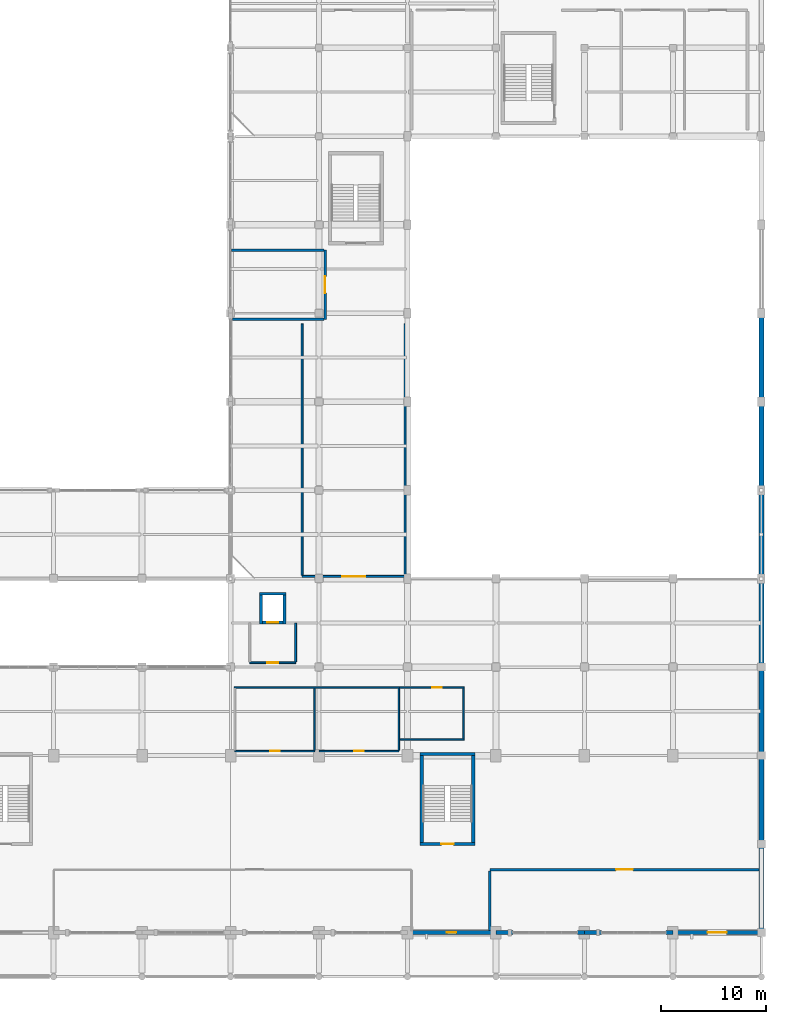
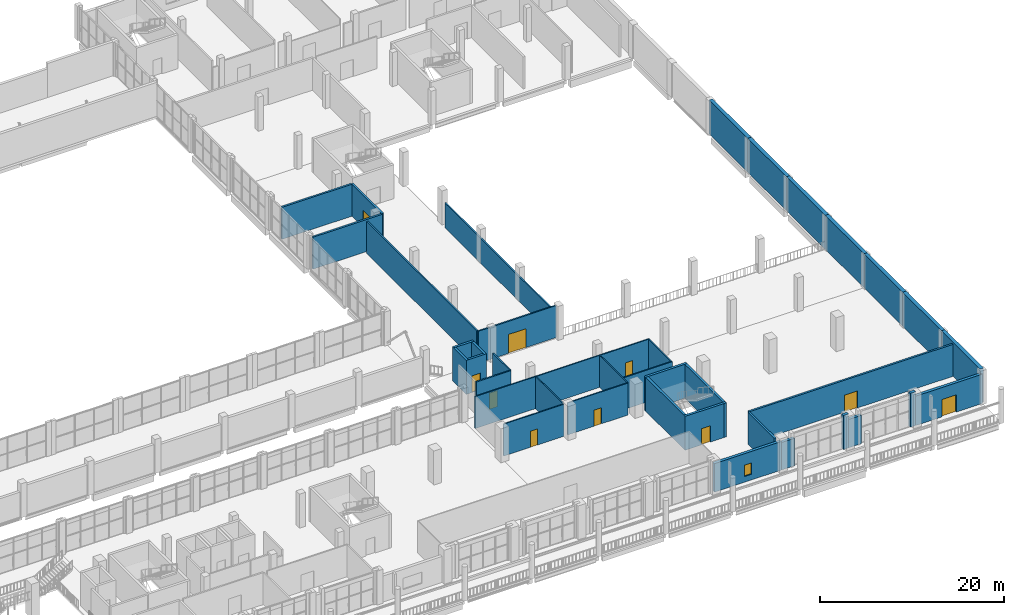
# One storey, part 63 of 75: 39 walls, 10 doors, 1 window, 11 openings.
"""IFC4 building model written with IfcOpenShell, lengths in metres."""

from ifc_helpers import new_model, si_unit, derived_unit, direction, frame, frame_2d, origin, place, context, subcontext, project, spatial, rectangle, extrude, material, layer, layer_set, type_object, element, fill, save


model = new_model("IFC4")

# Units and contexts
model_context = context("Model", 3, precision=1e-05, world=origin(), true_north=direction((0.0, 1.0)))
body_context = subcontext(model_context, "Body", "Model", "MODEL_VIEW")
ifc_project = project(units=[si_unit("LENGTHUNIT", "METRE"), si_unit("AREAUNIT", "SQUARE_METRE"), si_unit("VOLUMEUNIT", "CUBIC_METRE"), si_unit("PLANEANGLEUNIT", "RADIAN"), si_unit("MASSUNIT", "GRAM", prefix="KILO"), derived_unit("THERMALTRANSMITTANCEUNIT", [(si_unit("POWERUNIT", "WATT"), 1), (si_unit("LENGTHUNIT", "METRE"), -2), (si_unit("THERMODYNAMICTEMPERATUREUNIT", "KELVIN"), -1)])], contexts=[model_context])

# Site, building, storey
site_placement = place(None, origin())
site = spatial("IfcSite", under=ifc_project, at=site_placement, CompositionType="ELEMENT")
building_placement = place(site_placement, origin())
building = spatial("IfcBuilding", under=site, at=building_placement, Name="Barrovel Congress Hotel", CompositionType="ELEMENT")
storey_placement = place(building_placement, frame((0.0, 0.0, 5.39990234375)))
storey = spatial("IfcBuildingStorey", under=building, at=storey_placement, Name="L01", CompositionType="ELEMENT", Elevation=5.39990234375)

# Wall, opening, window
ifc_material_1 = material(Name="Fired Clay Brick Masonry", Category="masonry")
ifc_layer_1 = layer(ifc_material_1, 0.360107421875)
ifc_layer_set_1 = layer_set([ifc_layer_1], Name="Fired Clay Brick Masonry")
wall_type_1 = type_object("IfcWallType", Name="EW-BRK360", PredefinedType="STANDARD", material=ifc_layer_set_1)
wall_1_placement = place(storey_placement, frame((142.800048828125, 4.199951171875, 0.0), z_axis=(0.0, 0.0, 1.0), x_axis=(1.0, 0.0, 0.0)))
wall_1 = element("IfcWall", 1, at=wall_1_placement, inside=storey, type_object=wall_type_1, Name="EW:L01:S:17", PredefinedType="STANDARD", context=body_context, shape_type="SweptSolid", body=[
    extrude(rectangle(XDim=8.39990234375, YDim=0.360107421875, at=frame_2d((4.199951171875, 0.0))), origin(), (0.0, 0.0, 1.0), 3.780029296875),
])
opening_1_placement = place(wall_1_placement, frame((3.75, 0.0, 0.75)))
opening_1 = element("IfcOpeningElement", 2, at=opening_1_placement, cuts=wall_1, Name="Opening WN-11", PredefinedType="OPENING", context=body_context, shape_type="SweptSolid", body=[
    extrude(rectangle(XDim=0.89990234375, YDim=1.5, at=frame_2d((0.449951171875, 0.75))), frame((0.0, 0.18994140625, 0.0), z_axis=(0.0, -1.0, 0.0), x_axis=(1.0, 0.0, 0.0)), (0.0, 0.0, 1.0), 0.380126953125),
])
ifc_material_2 = material(Name="Double Low-E Insulated Glazing", Category="glass")
window_type = type_object("IfcWindowType", Name="WIN-WN-11", PartitioningType="SINGLE_PANEL", PredefinedType="WINDOW", material=ifc_material_2)
window_placement = place(opening_1_placement, origin())
window = element("IfcWindow", 3, at=window_placement, inside=storey, type_object=window_type, Name="WIN:L01:S:17", OverallHeight=1.5, OverallWidth=0.89990234375, PartitioningType="SINGLE_PANEL", PredefinedType="WINDOW", context=body_context, shape_type="SweptSolid", body=[
    extrude(rectangle(XDim=0.89990234375, YDim=1.5, at=frame_2d((0.449951171875, 0.75))), frame((0.0, 0.030029296875, 0.0), z_axis=(0.0, -1.0, 0.0), x_axis=(1.0, 0.0, 0.0)), (0.0, 0.0, 1.0), 0.06005859375),
])
fill(opening_1, window)

# Walls
wall_2_placement = place(storey_placement, frame((151.199951171875, 4.199951171875, 0.0), z_axis=(0.0, 0.0, 1.0), x_axis=(1.0, 0.0, 0.0)))
element("IfcWall", 4, at=wall_2_placement, inside=storey, type_object=wall_type_1, Name="EW:L01:SJ-L:18", PredefinedType="STANDARD", context=body_context, shape_type="SweptSolid", body=[
    extrude(rectangle(XDim=1.6201171875, YDim=0.360107421875, at=frame_2d((0.81005859375, 0.0))), origin(), (0.0, 0.0, 1.0), 3.64013671875),
])
wall_3_placement = place(storey_placement, frame((158.93994140625, 4.199951171875, 0.0), z_axis=(0.0, 0.0, 1.0), x_axis=(1.0, 0.0, 0.0)))
element("IfcWall", 5, at=wall_3_placement, inside=storey, type_object=wall_type_1, Name="EW:L01:SJ-R:18", PredefinedType="STANDARD", context=body_context, shape_type="SweptSolid", body=[
    extrude(rectangle(XDim=0.66015625, YDim=0.360107421875, at=frame_2d((0.330078125, 0.0))), origin(), (0.0, 0.0, 1.0), 4.5),
])
wall_4_placement = place(storey_placement, frame((159.60009765625, 4.199951171875, 0.0), z_axis=(0.0, 0.0, 1.0), x_axis=(1.0, 0.0, 0.0)))
element("IfcWall", 6, at=wall_4_placement, inside=storey, type_object=wall_type_1, Name="EW:L01:SJ-L:19", PredefinedType="STANDARD", context=body_context, shape_type="SweptSolid", body=[
    extrude(rectangle(XDim=1.619873046875, YDim=0.360107421875, at=frame_2d((0.81005859375, 0.0))), origin(), (0.0, 0.0, 1.0), 3.739990234375),
])
wall_5_placement = place(storey_placement, frame((167.340087890625, 4.199951171875, 0.0), z_axis=(0.0, 0.0, 1.0), x_axis=(1.0, 0.0, 0.0)))
element("IfcWall", 7, at=wall_5_placement, inside=storey, type_object=wall_type_1, Name="EW:L01:SJ-R:19", PredefinedType="STANDARD", context=body_context, shape_type="SweptSolid", body=[
    extrude(rectangle(XDim=0.659912109375, YDim=0.360107421875, at=frame_2d((0.330078125, 0.0))), origin(), (0.0, 0.0, 1.0), 4.5),
])

# Wall, opening, door
wall_6_placement = place(storey_placement, frame((168.0, 4.199951171875, 0.0), z_axis=(0.0, 0.0, 1.0), x_axis=(1.0, 0.0, 0.0)))
wall_6 = element("IfcWall", 8, at=wall_6_placement, inside=storey, type_object=wall_type_1, Name="EW:L01:S:20", PredefinedType="STANDARD", context=body_context, shape_type="SweptSolid", body=[
    extrude(rectangle(XDim=8.39990234375, YDim=0.360107421875, at=frame_2d((4.199951171875, 0.0))), origin(), (0.0, 0.0, 1.0), 3.885986328125),
])
opening_2_placement = place(wall_6_placement, frame((5.10009765625, 0.0, 0.0), z_axis=(0.0, 0.0, 1.0), x_axis=(-1.0, 0.0, 0.0)))
opening_2 = element("IfcOpeningElement", 9, at=opening_2_placement, cuts=wall_6, Name="Opening ED-03", PredefinedType="OPENING", context=body_context, shape_type="SweptSolid", body=[
    extrude(rectangle(XDim=1.800048828125, YDim=2.300048828125, at=frame_2d((0.89990234375, 1.14990234375))), frame((0.0, 0.18994140625, 0.0), z_axis=(0.0, -1.0, 0.0), x_axis=(1.0, 0.0, 0.0)), (0.0, 0.0, 1.0), 0.380126953125),
])
ifc_material_3 = material(Name="Anodised Aluminium Glazed Door", Category="aluminium")
door_type_1 = type_object("IfcDoorType", Name="EDR-ED-03", OperationType="NOTDEFINED", PredefinedType="DOOR", material=ifc_material_3)
door_1_placement = place(opening_2_placement, origin())
door_1 = element("IfcDoor", 10, at=door_1_placement, inside=storey, type_object=door_type_1, Name="Arcade Promenade Terrace Door 2", OperationType="DOUBLE_DOOR_SINGLE_SWING", OverallHeight=2.300048828125, OverallWidth=1.800048828125, PredefinedType="DOOR", context=body_context, shape_type="SweptSolid", body=[
    extrude(rectangle(XDim=1.800048828125, YDim=2.300048828125, at=frame_2d((0.89990234375, 1.14990234375))), frame((0.0, 0.02490234375, 0.0), z_axis=(0.0, -1.0, 0.0), x_axis=(1.0, 0.0, 0.0)), (0.0, 0.0, 1.0), 0.050048828125),
])
fill(opening_2, door_1)

# Walls
ifc_layer_2 = layer(ifc_material_1, 0.449951171875)
ifc_layer_set_2 = layer_set([ifc_layer_2], Name="Fired Clay Brick Masonry")
wall_type_2 = type_object("IfcWallType", Name="EW-PW450", PredefinedType="STANDARD", material=ifc_layer_set_2)
wall_7_placement = place(storey_placement, frame((176.39990234375, 4.199951171875, 0.0), z_axis=(0.0, 0.0, 1.0), x_axis=(0.0, 1.0, 0.0)))
element("IfcWall", 11, at=wall_7_placement, inside=storey, type_object=wall_type_2, Name="EW:L01:PARTY:4.2", PredefinedType="STANDARD", context=body_context, shape_type="SweptSolid", body=[
    extrude(rectangle(XDim=8.400146484375, YDim=0.449951171875, at=frame_2d((4.2001953125, 0.0))), origin(), (0.0, 0.0, 1.0), 4.5),
])
for number, where, z_axis, x_axis, name in (
    (12, (176.39990234375, 12.60009765625, 0.0), (0.0, 0.0, 1.0), (0.0, 1.0, 0.0), "EW:L01:PARTY:12.6"),
    (13, (176.39990234375, 21.0, 0.0), (0.0, 0.0, 1.0), (0.0, 1.0, 0.0), "EW:L01:PARTY:21.0"),
):
    element("IfcWall", number, at=place(storey_placement, frame(where, z_axis=z_axis, x_axis=x_axis)), inside=storey, type_object=wall_type_2, Name=name, PredefinedType="STANDARD", context=body_context, shape_type="SweptSolid", body=[
        extrude(rectangle(XDim=8.39990234375, YDim=0.449951171875, at=frame_2d((4.199951171875, 0.0))), origin(), (0.0, 0.0, 1.0), 4.5),
    ])
wall_8_placement = place(storey_placement, frame((176.39990234375, 29.39990234375, 0.0), z_axis=(0.0, 0.0, 1.0), x_axis=(0.0, 1.0, 0.0)))
element("IfcWall", 14, at=wall_8_placement, inside=storey, type_object=wall_type_2, Name="EW:L01:PARTY:29.4", PredefinedType="STANDARD", context=body_context, shape_type="SweptSolid", body=[
    extrude(rectangle(XDim=8.400146484375, YDim=0.449951171875, at=frame_2d((4.2001953125, 0.0))), origin(), (0.0, 0.0, 1.0), 4.5),
])
wall_9_placement = place(storey_placement, frame((176.39990234375, 37.800048828125, 0.0), z_axis=(0.0, 0.0, 1.0), x_axis=(0.0, 1.0, 0.0)))
element("IfcWall", 15, at=wall_9_placement, inside=storey, type_object=wall_type_2, Name="EW:L01:PARTY:37.8", PredefinedType="STANDARD", context=body_context, shape_type="SweptSolid", body=[
    extrude(rectangle(XDim=8.39990234375, YDim=0.449951171875, at=frame_2d((4.199951171875, 0.0))), origin(), (0.0, 0.0, 1.0), 4.5),
])
wall_10_placement = place(storey_placement, frame((176.39990234375, 46.199951171875, 0.0), z_axis=(0.0, 0.0, 1.0), x_axis=(0.0, 1.0, 0.0)))
element("IfcWall", 16, at=wall_10_placement, inside=storey, type_object=wall_type_2, Name="EW:L01:PARTY:46.2", PredefinedType="STANDARD", context=body_context, shape_type="SweptSolid", body=[
    extrude(rectangle(XDim=8.400146484375, YDim=0.449951171875, at=frame_2d((4.2001953125, 0.0))), origin(), (0.0, 0.0, 1.0), 4.5),
])
wall_11_placement = place(storey_placement, frame((176.39990234375, 54.60009765625, 0.0), z_axis=(0.0, 0.0, 1.0), x_axis=(0.0, 1.0, 0.0)))
element("IfcWall", 17, at=wall_11_placement, inside=storey, type_object=wall_type_2, Name="EW:L01:PARTY:54.6", PredefinedType="STANDARD", context=body_context, shape_type="SweptSolid", body=[
    extrude(rectangle(XDim=8.39990234375, YDim=0.449951171875, at=frame_2d((4.199951171875, 0.0))), origin(), (0.0, 0.0, 1.0), 4.5),
])

# Wall, opening, door
ifc_material_4 = material(Name="Gypsum Acoustic Stud", Category="gypsum")
ifc_layer_3 = layer(ifc_material_4, 0.179931640625)
ifc_layer_set_3 = layer_set([ifc_layer_3], Name="Gypsum Acoustic Stud")
wall_type_3 = type_object("IfcWallType", Name="PW-ACU-180", PredefinedType="PARTITIONING", material=ifc_layer_set_3)
wall_12_placement = place(storey_placement, frame((127.820068359375, 29.820068359375, 0.0), z_axis=(0.0, 0.0, 1.0), x_axis=(1.0, 0.0, 0.0)))
wall_12 = element("IfcWall", 18, at=wall_12_placement, inside=storey, type_object=wall_type_3, Name="RW:SP:L01:LL-CL2:S", PredefinedType="PARTITIONING", context=body_context, shape_type="SweptSolid", body=[
    extrude(rectangle(XDim=4.35986328125, YDim=0.179931640625, at=frame_2d((2.179931640625, 0.0))), origin(), (0.0, 0.0, 1.0), 4.235107421875),
])
opening_3_placement = place(wall_12_placement, frame((1.669921875, 0.0, 0.0)))
opening_3 = element("IfcOpeningElement", 19, at=opening_3_placement, cuts=wall_12, Name="Opening ID-ACC", PredefinedType="OPENING", context=body_context, shape_type="SweptSolid", body=[
    extrude(rectangle(XDim=1.02001953125, YDim=2.14990234375, at=frame_2d((0.510009765625, 1.074951171875))), frame((0.0, 0.10009765625, 0.0), z_axis=(0.0, -1.0, 0.0), x_axis=(1.0, 0.0, 0.0)), (0.0, 0.0, 1.0), 0.199951171875),
])
ifc_material_5 = material(Name="Solid Oak Acoustic Timber Door", Category="wood")
door_type_2 = type_object("IfcDoorType", Name="IDR-ID-ACC", OperationType="NOTDEFINED", PredefinedType="DOOR", material=ifc_material_5)
door_2_placement = place(opening_3_placement, origin())
door_2 = element("IfcDoor", 20, at=door_2_placement, inside=storey, type_object=door_type_2, Name="RD:SP:L01:LL-CL2", OperationType="SINGLE_SWING_RIGHT", OverallHeight=2.14990234375, OverallWidth=1.02001953125, PredefinedType="DOOR", context=body_context, shape_type="SweptSolid", body=[
    extrude(rectangle(XDim=1.02001953125, YDim=2.14990234375, at=frame_2d((0.510009765625, 1.074951171875))), frame((0.0, 0.02490234375, 0.0), z_axis=(0.0, -1.0, 0.0), x_axis=(1.0, 0.0, 0.0)), (0.0, 0.0, 1.0), 0.050048828125),
])
fill(opening_3, door_2)

# Wall
wall_13_placement = place(storey_placement, frame((132.179931640625, 29.909912109375, 0.0), z_axis=(0.0, 0.0, 1.0), x_axis=(0.0, 1.0, 0.0)))
element("IfcWall", 21, at=wall_13_placement, inside=storey, type_object=wall_type_3, Name="RW:SP:L01:LL-CL2:E", PredefinedType="PARTITIONING", context=body_context, shape_type="SweptSolid", body=[
    extrude(rectangle(XDim=3.670166015625, YDim=0.179931640625, at=frame_2d((1.8349609375, 0.0))), origin(), (0.0, 0.0, 1.0), 4.235107421875),
])

# Wall, opening, door
wall_14_placement = place(storey_placement, frame((132.800048828125, 38.02001953125, 0.0), z_axis=(0.0, 0.0, 1.0), x_axis=(1.0, 0.0, 0.0)))
wall_14 = element("IfcWall", 22, at=wall_14_placement, inside=storey, type_object=wall_type_3, Name="RW:SP:L01:JBALL:S", PredefinedType="PARTITIONING", context=body_context, shape_type="SweptSolid", body=[
    extrude(rectangle(XDim=9.780029296875, YDim=0.179931640625, at=frame_2d((4.89013671875, 0.0))), origin(), (0.0, 0.0, 1.0), 4.235107421875),
])
opening_4_placement = place(wall_14_placement, frame((3.7900390625, 0.0, 0.0)))
opening_4 = element("IfcOpeningElement", 23, at=opening_4_placement, cuts=wall_14, Name="Opening ID-BAL", PredefinedType="OPENING", context=body_context, shape_type="SweptSolid", body=[
    extrude(rectangle(XDim=2.199951171875, YDim=2.5, at=frame_2d((1.10009765625, 1.25))), frame((0.0, 0.10009765625, 0.0), z_axis=(0.0, -1.0, 0.0), x_axis=(1.0, 0.0, 0.0)), (0.0, 0.0, 1.0), 0.199951171875),
])
door_type_3 = type_object("IfcDoorType", Name="IDR-ID-BAL", OperationType="NOTDEFINED", PredefinedType="DOOR", material=ifc_material_5)
door_3_placement = place(opening_4_placement, origin())
door_3 = element("IfcDoor", 24, at=door_3_placement, inside=storey, type_object=door_type_3, Name="RD:SP:L01:JBALL", OperationType="DOUBLE_DOOR_SINGLE_SWING", OverallHeight=2.5, OverallWidth=2.199951171875, PredefinedType="DOOR", context=body_context, shape_type="SweptSolid", body=[
    extrude(rectangle(XDim=2.199951171875, YDim=2.5, at=frame_2d((1.10009765625, 1.25))), frame((0.0, 0.02490234375, 0.0), z_axis=(0.0, -1.0, 0.0), x_axis=(1.0, 0.0, 0.0)), (0.0, 0.0, 1.0), 0.050048828125),
])
fill(opening_4, door_3)

# Walls
wall_15_placement = place(storey_placement, frame((132.800048828125, 38.110107421875, 0.0), z_axis=(0.0, 0.0, 1.0), x_axis=(0.0, 1.0, 0.0)))
element("IfcWall", 25, at=wall_15_placement, inside=storey, type_object=wall_type_3, Name="RW:SP:L01:JBALL:W", PredefinedType="PARTITIONING", context=body_context, shape_type="SweptSolid", body=[
    extrude(rectangle(XDim=23.869873046875, YDim=0.179931640625, at=frame_2d((11.93505859375, 0.0))), origin(), (0.0, 0.0, 1.0), 4.235107421875),
])
wall_16_placement = place(storey_placement, frame((142.580078125, 38.110107421875, 0.0), z_axis=(0.0, 0.0, 1.0), x_axis=(0.0, 1.0, 0.0)))
element("IfcWall", 26, at=wall_16_placement, inside=storey, type_object=wall_type_3, Name="RW:SP:L01:JBALL:E", PredefinedType="PARTITIONING", context=body_context, shape_type="SweptSolid", body=[
    extrude(rectangle(XDim=23.869873046875, YDim=0.179931640625, at=frame_2d((11.93505859375, 0.0))), origin(), (0.0, 0.0, 1.0), 3.2900390625),
])

# Wall, opening, door
ifc_layer_4 = layer(ifc_material_1, 0.239990234375)
ifc_layer_set_4 = layer_set([ifc_layer_4], Name="Fired Clay Brick Masonry")
wall_type_4 = type_object("IfcWallType", Name="PW-MAS-240", PredefinedType="PARTITIONING", material=ifc_layer_set_4)
wall_17_placement = place(storey_placement, frame((150.6201171875, 10.179931640625, 0.0), z_axis=(0.0, 0.0, 1.0), x_axis=(1.0, 0.0, 0.0)))
wall_17 = element("IfcWall", 27, at=wall_17_placement, inside=storey, type_object=wall_type_4, Name="RW:SP:L01:MEZ-DN:N", PredefinedType="PARTITIONING", context=body_context, shape_type="SweptSolid", body=[
    extrude(rectangle(XDim=25.554931640625, YDim=0.239990234375, at=frame_2d((12.77734375, 0.0))), origin(), (0.0, 0.0, 1.0), 4.235107421875),
])
opening_5_placement = place(wall_17_placement, frame((11.9775390625, 0.0, 0.0)))
opening_5 = element("IfcOpeningElement", 28, at=opening_5_placement, cuts=wall_17, Name="Opening ID-MTG", PredefinedType="OPENING", context=body_context, shape_type="SweptSolid", body=[
    extrude(rectangle(XDim=1.60009765625, YDim=2.25, at=frame_2d((0.800048828125, 1.125))), frame((0.0, 0.1298828125, 0.0), z_axis=(0.0, -1.0, 0.0), x_axis=(1.0, 0.0, 0.0)), (0.0, 0.0, 1.0), 0.260009765625),
])
door_type_4 = type_object("IfcDoorType", Name="IDR-ID-MTG", OperationType="NOTDEFINED", PredefinedType="DOOR", material=ifc_material_5)
door_4_placement = place(opening_5_placement, origin())
door_4 = element("IfcDoor", 29, at=door_4_placement, inside=storey, type_object=door_type_4, Name="RD:SP:L01:MEZ-DN", OperationType="DOUBLE_DOOR_SINGLE_SWING", OverallHeight=2.25, OverallWidth=1.60009765625, PredefinedType="DOOR", context=body_context, shape_type="SweptSolid", body=[
    extrude(rectangle(XDim=1.60009765625, YDim=2.25, at=frame_2d((0.800048828125, 1.125))), frame((0.0, 0.02490234375, 0.0), z_axis=(0.0, -1.0, 0.0), x_axis=(1.0, 0.0, 0.0)), (0.0, 0.0, 1.0), 0.050048828125),
])
fill(opening_5, door_4)

# Wall
wall_18_placement = place(storey_placement, frame((150.6201171875, 4.3798828125, 0.0), z_axis=(0.0, 0.0, 1.0), x_axis=(0.0, 1.0, 0.0)))
element("IfcWall", 30, at=wall_18_placement, inside=storey, type_object=wall_type_4, Name="RW:SP:L01:MEZ-DN:W", PredefinedType="PARTITIONING", context=body_context, shape_type="SweptSolid", body=[
    extrude(rectangle(XDim=5.68017578125, YDim=0.239990234375, at=frame_2d((2.840087890625, 0.0))), origin(), (0.0, 0.0, 1.0), 4.235107421875),
])

# Wall, opening, door
wall_19_placement = place(storey_placement, frame((134.97998046875, 62.419921875, 0.0), z_axis=(0.0, 0.0, 1.0), x_axis=(0.0, 1.0, 0.0)))
wall_19 = element("IfcWall", 31, at=wall_19_placement, inside=storey, type_object=wall_type_4, Name="RW:SP:L01:BSAL-1:E", PredefinedType="PARTITIONING", context=body_context, shape_type="SweptSolid", body=[
    extrude(rectangle(XDim=6.580078125, YDim=0.239990234375, at=frame_2d((3.2900390625, 0.0))), origin(), (0.0, 0.0, 1.0), 4.235107421875),
])
opening_6_placement = place(wall_19_placement, frame((2.489990234375, 0.0, 0.0)))
opening_6 = element("IfcOpeningElement", 32, at=opening_6_placement, cuts=wall_19, Name="Opening ID-MTG", PredefinedType="OPENING", context=body_context, shape_type="SweptSolid", body=[
    extrude(rectangle(XDim=1.60009765625, YDim=2.25, at=frame_2d((0.800048828125, 1.125))), frame((0.0, 0.1298828125, 0.0), z_axis=(0.0, -1.0, 0.0), x_axis=(1.0, 0.0, 0.0)), (0.0, 0.0, 1.0), 0.260009765625),
])
door_5_placement = place(opening_6_placement, origin())
door_5 = element("IfcDoor", 33, at=door_5_placement, inside=storey, type_object=door_type_4, Name="RD:SP:L01:BSAL-1", OperationType="DOUBLE_DOOR_SINGLE_SWING", OverallHeight=2.25, OverallWidth=1.60009765625, PredefinedType="DOOR", context=body_context, shape_type="SweptSolid", body=[
    extrude(rectangle(XDim=1.60009765625, YDim=2.25, at=frame_2d((0.800048828125, 1.125))), frame((0.0, 0.02490234375, 0.0), z_axis=(0.0, -1.0, 0.0), x_axis=(1.0, 0.0, 0.0)), (0.0, 0.0, 1.0), 0.050048828125),
])
fill(opening_6, door_5)

# Walls
wall_20_placement = place(storey_placement, frame((126.169921875, 62.419921875, 0.0), z_axis=(0.0, 0.0, 1.0), x_axis=(1.0, 0.0, 0.0)))
element("IfcWall", 34, at=wall_20_placement, inside=storey, type_object=wall_type_4, Name="RW:SP:L01:BSAL-1:S", PredefinedType="PARTITIONING", context=body_context, shape_type="SweptSolid", body=[
    extrude(rectangle(XDim=8.690185546875, YDim=0.239990234375, at=frame_2d((4.34521484375, 0.0))), origin(), (0.0, 0.0, 1.0), 4.235107421875),
])
wall_21_placement = place(storey_placement, frame((126.080078125, 69.0, 0.0), z_axis=(0.0, 0.0, 1.0), x_axis=(1.0, 0.0, 0.0)))
element("IfcWall", 35, at=wall_21_placement, inside=storey, type_object=wall_type_4, Name="RW:SP:L01:BSAL-1:N", PredefinedType="PARTITIONING", context=body_context, shape_type="SweptSolid", body=[
    extrude(rectangle(XDim=8.780029296875, YDim=0.239990234375, at=frame_2d((4.39013671875, 0.0))), origin(), (0.0, 0.0, 1.0), 4.235107421875),
])
ifc_material_6 = material(Name="Gypsum Moisture Board", Category="gypsum")
ifc_layer_5 = layer(ifc_material_6, 0.139892578125)
ifc_layer_set_5 = layer_set([ifc_layer_5], Name="Gypsum Moisture Board")
wall_type_5 = type_object("IfcWallType", Name="PW-WET-140", PredefinedType="PARTITIONING", material=ifc_layer_set_5)
wall_22_placement = place(storey_placement, frame((126.35009765625, 27.47998046875, 0.0), z_axis=(0.0, 0.0, 1.0), x_axis=(1.0, 0.0, 0.0)))
element("IfcWall", 36, at=wall_22_placement, inside=storey, type_object=wall_type_5, Name="RW:SP:L01:WCB:N", PredefinedType="PARTITIONING", context=body_context, shape_type="SweptSolid", body=[
    extrude(rectangle(XDim=15.699951171875, YDim=0.139892578125, at=frame_2d((7.85009765625, 0.0))), origin(), (0.0, 0.0, 1.0), 4.235107421875),
])

# Wall, opening, door
wall_23_placement = place(storey_placement, frame((126.419921875, 21.419921875, 0.0), z_axis=(0.0, 0.0, 1.0), x_axis=(1.0, 0.0, 0.0)))
wall_23 = element("IfcWall", 37, at=wall_23_placement, inside=storey, type_object=wall_type_5, Name="RW:SP:L01:WC-M1:S", PredefinedType="PARTITIONING", context=body_context, shape_type="SweptSolid", body=[
    extrude(rectangle(XDim=7.56005859375, YDim=0.139892578125, at=frame_2d((3.780029296875, 0.0))), origin(), (0.0, 0.0, 1.0), 4.235107421875),
])
opening_7_placement = place(wall_23_placement, frame((3.330078125, 0.0, 0.0)))
opening_7 = element("IfcOpeningElement", 38, at=opening_7_placement, cuts=wall_23, Name="Opening ID-WC1", PredefinedType="OPENING", context=body_context, shape_type="SweptSolid", body=[
    extrude(rectangle(XDim=0.89990234375, YDim=2.1201171875, at=frame_2d((0.449951171875, 1.06005859375))), frame((0.0, 0.080078125, 0.0), z_axis=(0.0, -1.0, 0.0), x_axis=(1.0, 0.0, 0.0)), (0.0, 0.0, 1.0), 0.159912109375),
])
ifc_material_7 = material(Name="Lacquered Timber Moisture Door", Category="wood")
door_type_5 = type_object("IfcDoorType", Name="IDR-ID-WC1", OperationType="NOTDEFINED", PredefinedType="DOOR", material=ifc_material_7)
door_6_placement = place(opening_7_placement, origin())
door_6 = element("IfcDoor", 39, at=door_6_placement, inside=storey, type_object=door_type_5, Name="RD:SP:L01:WC-M1", OperationType="SINGLE_SWING_LEFT", OverallHeight=2.1201171875, OverallWidth=0.89990234375, PredefinedType="DOOR", context=body_context, shape_type="SweptSolid", body=[
    extrude(rectangle(XDim=0.89990234375, YDim=2.1201171875, at=frame_2d((0.449951171875, 1.06005859375))), frame((0.0, 0.02490234375, 0.0), z_axis=(0.0, -1.0, 0.0), x_axis=(1.0, 0.0, 0.0)), (0.0, 0.0, 1.0), 0.050048828125),
])
fill(opening_7, door_6)

# Wall
wall_24_placement = place(storey_placement, frame((133.97998046875, 21.489990234375, 0.0), z_axis=(0.0, 0.0, 1.0), x_axis=(0.0, 1.0, 0.0)))
element("IfcWall", 40, at=wall_24_placement, inside=storey, type_object=wall_type_5, Name="RW:SP:L01:WC-M1:E", PredefinedType="PARTITIONING", context=body_context, shape_type="SweptSolid", body=[
    extrude(rectangle(XDim=5.919921875, YDim=0.139892578125, at=frame_2d((2.9599609375, 0.0))), origin(), (0.0, 0.0, 1.0), 4.235107421875),
])

# Wall, opening, door
wall_25_placement = place(storey_placement, frame((134.419921875, 21.419921875, 0.0), z_axis=(0.0, 0.0, 1.0), x_axis=(1.0, 0.0, 0.0)))
wall_25 = element("IfcWall", 41, at=wall_25_placement, inside=storey, type_object=wall_type_5, Name="RW:SP:L01:WC-F1:S", PredefinedType="PARTITIONING", context=body_context, shape_type="SweptSolid", body=[
    extrude(rectangle(XDim=7.56005859375, YDim=0.139892578125, at=frame_2d((3.780029296875, 0.0))), origin(), (0.0, 0.0, 1.0), 4.235107421875),
])
opening_8_placement = place(wall_25_placement, frame((3.330078125, 0.0, 0.0)))
opening_8 = element("IfcOpeningElement", 42, at=opening_8_placement, cuts=wall_25, Name="Opening ID-WC1", PredefinedType="OPENING", context=body_context, shape_type="SweptSolid", body=[
    extrude(rectangle(XDim=0.89990234375, YDim=2.1201171875, at=frame_2d((0.449951171875, 1.06005859375))), frame((0.0, 0.080078125, 0.0), z_axis=(0.0, -1.0, 0.0), x_axis=(1.0, 0.0, 0.0)), (0.0, 0.0, 1.0), 0.159912109375),
])
door_7_placement = place(opening_8_placement, origin())
door_7 = element("IfcDoor", 43, at=door_7_placement, inside=storey, type_object=door_type_5, Name="RD:SP:L01:WC-F1", OperationType="SINGLE_SWING_RIGHT", OverallHeight=2.1201171875, OverallWidth=0.89990234375, PredefinedType="DOOR", context=body_context, shape_type="SweptSolid", body=[
    extrude(rectangle(XDim=0.89990234375, YDim=2.1201171875, at=frame_2d((0.449951171875, 1.06005859375))), frame((0.0, 0.02490234375, 0.0), z_axis=(0.0, -1.0, 0.0), x_axis=(1.0, 0.0, 0.0)), (0.0, 0.0, 1.0), 0.050048828125),
])
fill(opening_8, door_7)

# Walls
wall_26_placement = place(storey_placement, frame((141.97998046875, 21.489990234375, 0.0), z_axis=(0.0, 0.0, 1.0), x_axis=(0.0, 1.0, 0.0)))
element("IfcWall", 44, at=wall_26_placement, inside=storey, type_object=wall_type_5, Name="RW:SP:L01:WC-F1:E", PredefinedType="PARTITIONING", context=body_context, shape_type="SweptSolid", body=[
    extrude(rectangle(XDim=5.919921875, YDim=0.139892578125, at=frame_2d((2.9599609375, 0.0))), origin(), (0.0, 0.0, 1.0), 4.235107421875),
])
wall_27_placement = place(storey_placement, frame((142.050048828125, 22.52001953125, 0.0), z_axis=(0.0, 0.0, 1.0), x_axis=(1.0, 0.0, 0.0)))
element("IfcWall", 45, at=wall_27_placement, inside=storey, type_object=wall_type_5, Name="RW:SP:L01:WC-A1:S", PredefinedType="PARTITIONING", context=body_context, shape_type="SweptSolid", body=[
    extrude(rectangle(XDim=6.119873046875, YDim=0.139892578125, at=frame_2d((3.06005859375, 0.0))), origin(), (0.0, 0.0, 1.0), 4.235107421875),
])
wall_28_placement = place(storey_placement, frame((148.10009765625, 22.590087890625, 0.0), z_axis=(0.0, 0.0, 1.0), x_axis=(0.0, 1.0, 0.0)))
element("IfcWall", 46, at=wall_28_placement, inside=storey, type_object=wall_type_5, Name="RW:SP:L01:WC-A1:E", PredefinedType="PARTITIONING", context=body_context, shape_type="SweptSolid", body=[
    extrude(rectangle(XDim=4.81982421875, YDim=0.139892578125, at=frame_2d((2.409912109375, 0.0))), origin(), (0.0, 0.0, 1.0), 4.235107421875),
])

# Wall, opening, door
wall_29_placement = place(storey_placement, frame((142.050048828125, 27.47998046875, 0.0), z_axis=(0.0, 0.0, 1.0), x_axis=(1.0, 0.0, 0.0)))
wall_29 = element("IfcWall", 47, at=wall_29_placement, inside=storey, type_object=wall_type_5, Name="RW:SP:L01:WC-A1:N", PredefinedType="PARTITIONING", context=body_context, shape_type="SweptSolid", body=[
    extrude(rectangle(XDim=6.119873046875, YDim=0.139892578125, at=frame_2d((3.06005859375, 0.0))), origin(), (0.0, 0.0, 1.0), 4.235107421875),
])
opening_9_placement = place(wall_29_placement, frame((3.10009765625, 0.0, 0.0)))
opening_9 = element("IfcOpeningElement", 48, at=opening_9_placement, cuts=wall_29, Name="Opening ID-WC1", PredefinedType="OPENING", context=body_context, shape_type="SweptSolid", body=[
    extrude(rectangle(XDim=0.89990234375, YDim=2.1201171875, at=frame_2d((0.449951171875, 1.06005859375))), frame((0.0, 0.080078125, 0.0), z_axis=(0.0, -1.0, 0.0), x_axis=(1.0, 0.0, 0.0)), (0.0, 0.0, 1.0), 0.159912109375),
])
door_8_placement = place(opening_9_placement, origin())
door_8 = element("IfcDoor", 49, at=door_8_placement, inside=storey, type_object=door_type_5, Name="RD:SP:L01:WC-A1", OperationType="SINGLE_SWING_LEFT", OverallHeight=2.1201171875, OverallWidth=0.89990234375, PredefinedType="DOOR", context=body_context, shape_type="SweptSolid", body=[
    extrude(rectangle(XDim=0.89990234375, YDim=2.1201171875, at=frame_2d((0.449951171875, 1.06005859375))), frame((0.0, 0.02490234375, 0.0), z_axis=(0.0, -1.0, 0.0), x_axis=(1.0, 0.0, 0.0)), (0.0, 0.0, 1.0), 0.050048828125),
])
fill(opening_9, door_8)

ifc_material_8 = material(Name="Concrete C40", Category="concrete")
ifc_layer_6 = layer(ifc_material_8, 0.280029296875)
ifc_layer_set_6 = layer_set([ifc_layer_6], Name="Concrete C40")
wall_type_6 = type_object("IfcWallType", Name="SW-C40-280", PredefinedType="SHEAR", material=ifc_layer_set_6)
wall_30_placement = place(storey_placement, frame((128.739990234375, 33.6298828125, 0.0), z_axis=(0.0, 0.0, 1.0), x_axis=(1.0, 0.0, 0.0)))
wall_30 = element("IfcWall", 50, at=wall_30_placement, inside=storey, type_object=wall_type_6, Name="LSH:CL-2:L01:S", PredefinedType="SHEAR", context=body_context, shape_type="SweptSolid", body=[
    extrude(rectangle(XDim=2.52001953125, YDim=0.280029296875, at=frame_2d((1.260009765625, 0.0))), origin(), (0.0, 0.0, 1.0), 4.5),
])
opening_10_placement = place(wall_30_placement, frame((0.735107421875, 0.0, 0.0)))
opening_10 = element("IfcOpeningElement", 51, at=opening_10_placement, cuts=wall_30, Name="Opening LD-PAX", PredefinedType="OPENING", context=body_context, shape_type="SweptSolid", body=[
    extrude(rectangle(XDim=1.050048828125, YDim=2.199951171875, at=frame_2d((0.52490234375, 1.10009765625))), frame((0.0, 0.14990234375, 0.0), z_axis=(0.0, -1.0, 0.0), x_axis=(1.0, 0.0, 0.0)), (0.0, 0.0, 1.0), 0.300048828125),
])
ifc_material_9 = material(Name="Brushed Stainless Steel", Category="steel")
door_type_6 = type_object("IfcDoorType", Name="IDR-LD-PAX", OperationType="NOTDEFINED", PredefinedType="DOOR", material=ifc_material_9)
door_9_placement = place(opening_10_placement, origin())
door_9 = element("IfcDoor", 52, at=door_9_placement, inside=storey, type_object=door_type_6, Name="Lift Landing Door LD-CL-2-L01", OperationType="SLIDING_TO_LEFT", OverallHeight=2.199951171875, OverallWidth=1.050048828125, PredefinedType="DOOR", context=body_context, shape_type="SweptSolid", body=[
    extrude(rectangle(XDim=1.050048828125, YDim=2.199951171875, at=frame_2d((0.52490234375, 1.10009765625))), frame((0.0, 0.02490234375, 0.0), z_axis=(0.0, -1.0, 0.0), x_axis=(1.0, 0.0, 0.0)), (0.0, 0.0, 1.0), 0.050048828125),
])
fill(opening_10, door_9)

# Walls
wall_31_placement = place(storey_placement, frame((131.1201171875, 33.489990234375, 0.0), z_axis=(0.0, 0.0, 1.0), x_axis=(0.0, 1.0, 0.0)))
element("IfcWall", 53, at=wall_31_placement, inside=storey, type_object=wall_type_6, Name="LSH:CL-2:L01:E", PredefinedType="SHEAR", context=body_context, shape_type="SweptSolid", body=[
    extrude(rectangle(XDim=3.02001953125, YDim=0.280029296875, at=frame_2d((1.510009765625, 0.0))), origin(), (0.0, 0.0, 1.0), 4.5),
])
wall_32_placement = place(storey_placement, frame((131.260009765625, 36.3701171875, 0.0), z_axis=(0.0, 0.0, 1.0), x_axis=(-1.0, 0.0, 0.0)))
element("IfcWall", 54, at=wall_32_placement, inside=storey, type_object=wall_type_6, Name="LSH:CL-2:L01:N", PredefinedType="SHEAR", context=body_context, shape_type="SweptSolid", body=[
    extrude(rectangle(XDim=2.52001953125, YDim=0.280029296875, at=frame_2d((1.260009765625, 0.0))), origin(), (0.0, 0.0, 1.0), 4.5),
])
wall_33_placement = place(storey_placement, frame((128.8798828125, 36.510009765625, 0.0), z_axis=(0.0, 0.0, 1.0), x_axis=(0.0, -1.0, 0.0)))
element("IfcWall", 55, at=wall_33_placement, inside=storey, type_object=wall_type_6, Name="LSH:CL-2:L01:W", PredefinedType="SHEAR", context=body_context, shape_type="SweptSolid", body=[
    extrude(rectangle(XDim=3.02001953125, YDim=0.280029296875, at=frame_2d((1.510009765625, 0.0))), origin(), (0.0, 0.0, 1.0), 4.5),
])

# Wall, opening, door
ifc_layer_7 = layer(ifc_material_8, 0.300048828125)
ifc_layer_set_7 = layer_set([ifc_layer_7], Name="Concrete C40")
wall_type_7 = type_object("IfcWallType", Name="SW-C40-300", PredefinedType="SHEAR", material=ifc_layer_set_7)
wall_34_placement = place(storey_placement, frame((144.0, 12.610107421875, 0.0), z_axis=(0.0, 0.0, 1.0), x_axis=(1.0, 0.0, 0.0)))
wall_34 = element("IfcWall", 56, at=wall_34_placement, inside=storey, type_object=wall_type_7, Name="SHW:XS-04:L01:S", PredefinedType="SHEAR", context=body_context, shape_type="SweptSolid", body=[
    extrude(rectangle(XDim=5.199951171875, YDim=0.300048828125, at=frame_2d((2.60009765625, 0.0))), origin(), (0.0, 0.0, 1.0), 4.5),
])
opening_11_placement = place(wall_34_placement, frame((2.02490234375, 0.0, 0.0)))
opening_11 = element("IfcOpeningElement", 57, at=opening_11_placement, cuts=wall_34, Name="Opening ID-ST1", PredefinedType="OPENING", context=body_context, shape_type="SweptSolid", body=[
    extrude(rectangle(XDim=1.14990234375, YDim=2.14990234375, at=frame_2d((0.574951171875, 1.074951171875))), frame((0.0, 0.16015625, 0.0), z_axis=(0.0, -1.0, 0.0), x_axis=(1.0, 0.0, 0.0)), (0.0, 0.0, 1.0), 0.320068359375),
])
ifc_material_10 = material(Name="Painted Hollow-Metal Steel Door", Category="steel")
door_type_7 = type_object("IfcDoorType", Name="IDR-ID-ST1", OperationType="NOTDEFINED", PredefinedType="DOOR", material=ifc_material_10)
door_10_placement = place(opening_11_placement, origin())
door_10 = element("IfcDoor", 58, at=door_10_placement, inside=storey, type_object=door_type_7, Name="Stair Core Fire Door XS-04-L01", OperationType="SINGLE_SWING_RIGHT", OverallHeight=2.14990234375, OverallWidth=1.14990234375, PredefinedType="DOOR", context=body_context, shape_type="SweptSolid", body=[
    extrude(rectangle(XDim=1.14990234375, YDim=2.14990234375, at=frame_2d((0.574951171875, 1.074951171875))), frame((0.0, 0.02490234375, 0.0), z_axis=(0.0, -1.0, 0.0), x_axis=(1.0, 0.0, 0.0)), (0.0, 0.0, 1.0), 0.050048828125),
])
fill(opening_11, door_10)

# Walls
wall_35_placement = place(storey_placement, frame((149.050048828125, 12.4599609375, 0.0), z_axis=(0.0, 0.0, 1.0), x_axis=(0.0, 1.0, 0.0)))
element("IfcWall", 59, at=wall_35_placement, inside=storey, type_object=wall_type_7, Name="SHW:XS-04:L01:E", PredefinedType="SHEAR", context=body_context, shape_type="SweptSolid", body=[
    extrude(rectangle(XDim=8.840087890625, YDim=0.300048828125, at=frame_2d((4.419921875, 0.0))), origin(), (0.0, 0.0, 1.0), 4.5),
])
wall_36_placement = place(storey_placement, frame((149.199951171875, 21.14990234375, 0.0), z_axis=(0.0, 0.0, 1.0), x_axis=(-1.0, 0.0, 0.0)))
element("IfcWall", 60, at=wall_36_placement, inside=storey, type_object=wall_type_7, Name="SHW:XS-04:L01:N", PredefinedType="SHEAR", context=body_context, shape_type="SweptSolid", body=[
    extrude(rectangle(XDim=5.199951171875, YDim=0.300048828125, at=frame_2d((2.60009765625, 0.0))), origin(), (0.0, 0.0, 1.0), 4.5),
])
wall_37_placement = place(storey_placement, frame((144.14990234375, 21.300048828125, 0.0), z_axis=(0.0, 0.0, 1.0), x_axis=(0.0, -1.0, 0.0)))
element("IfcWall", 61, at=wall_37_placement, inside=storey, type_object=wall_type_7, Name="SHW:XS-04:L01:W", PredefinedType="SHEAR", context=body_context, shape_type="SweptSolid", body=[
    extrude(rectangle(XDim=8.840087890625, YDim=0.300048828125, at=frame_2d((4.419921875, 0.0))), origin(), (0.0, 0.0, 1.0), 4.5),
])

save(model, "model.ifc")
